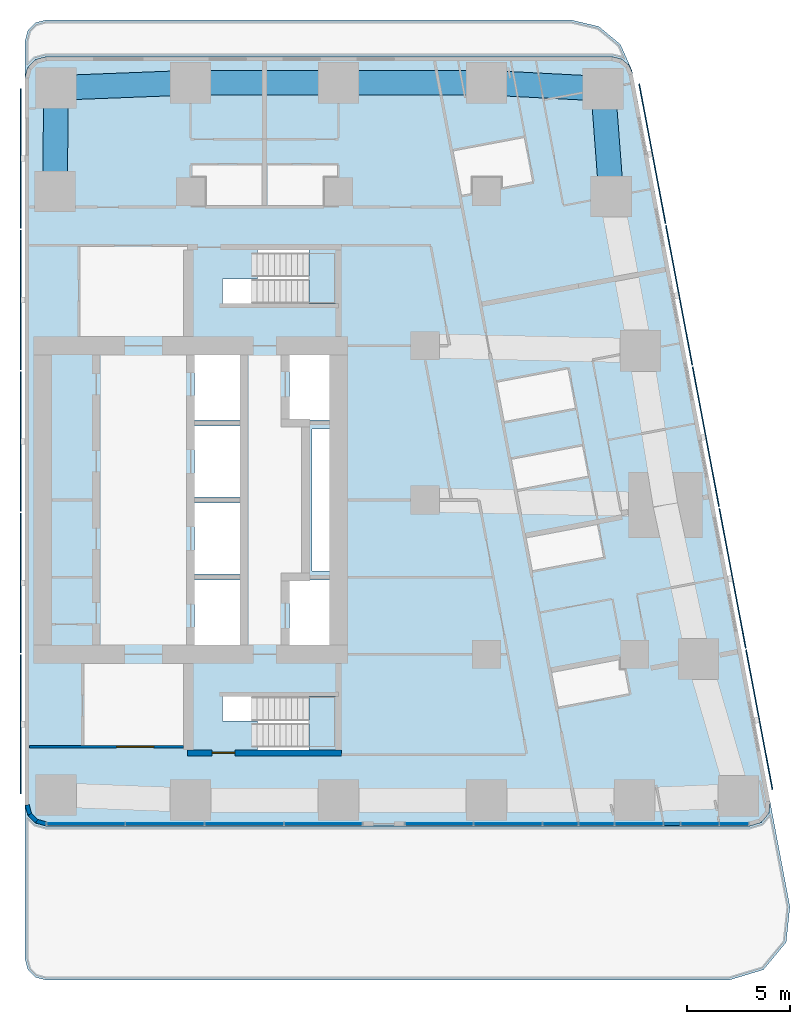
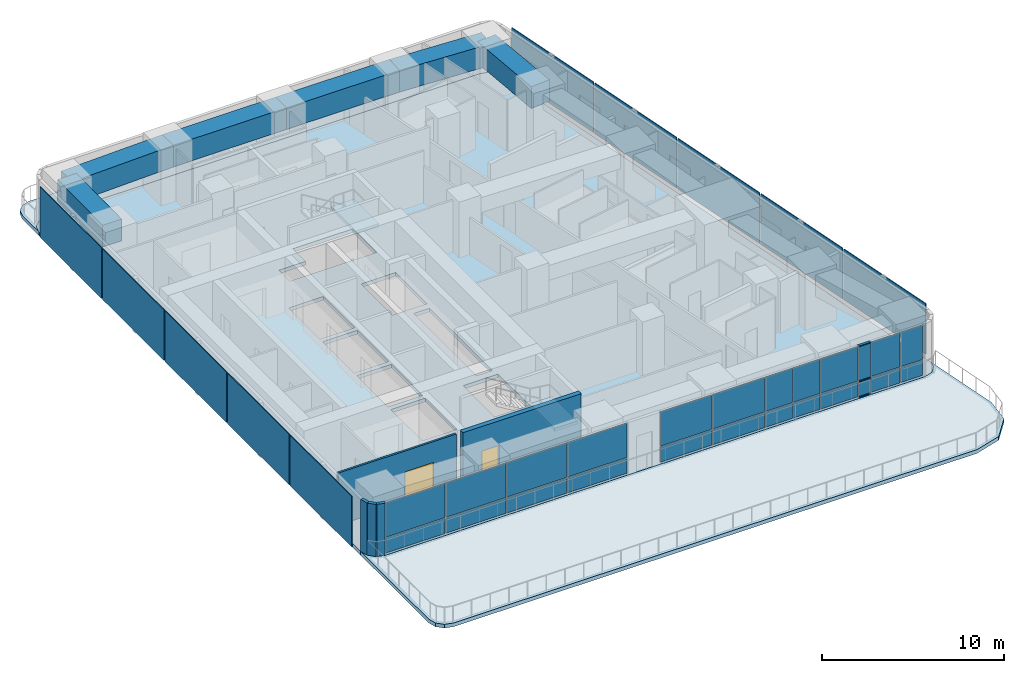
# One storey, part 4 of 12: 34 plates, 6 beams, 5 walls, 4 slabs, 3 members, 2 doors, 2 openings, 4 elements without a shape of their own.
"""IFC4 building model written with IfcOpenShell, lengths in metres."""

from ifc_helpers import new_model, si_unit, direction, frame, frame_2d, origin, origin_2d, place, context, subcontext, project, spatial, polyline, rectangle, outline, extrude, material, layer, layer_set, material_profile, profile_set, type_object, element, fill, aggregate, save


model = new_model("IFC4")

# Units and contexts
model_context = context("Model", 3, precision=1e-05, world=origin(), true_north=direction((0.0, 1.0)))
body_context = subcontext(model_context, "Body", "Model", "MODEL_VIEW")
ifc_project = project(units=[si_unit("LENGTHUNIT", "METRE"), si_unit("AREAUNIT", "SQUARE_METRE"), si_unit("VOLUMEUNIT", "CUBIC_METRE"), si_unit("PLANEANGLEUNIT", "RADIAN"), si_unit("MASSUNIT", "GRAM", prefix="KILO")], contexts=[model_context])

# Site, building, storey
site_placement = place(None, origin())
site = spatial("IfcSite", under=ifc_project, at=site_placement, CompositionType="ELEMENT")
building_placement = place(site_placement, origin())
building = spatial("IfcBuilding", under=site, at=building_placement, Name="Sheger Commons Tower", CompositionType="ELEMENT")
storey_placement = place(building_placement, frame((0.0, 0.0, 251.60009765625)))
storey = spatial("IfcBuildingStorey", under=building, at=storey_placement, Name="L64", CompositionType="ELEMENT", Elevation=251.60009765625)

# Beams
ifc_material_1 = material(Name="Concrete C50/60", Category="concrete")
ifc_material_profile_1 = material_profile(ifc_material_1, rectangle(XDim=1.199951171875, YDim=1.449951171875, at=origin_2d()), Name="RC 1200x1450")
ifc_profile_set_1 = profile_set([ifc_material_profile_1], Name="Concrete C50/60")
beam_type = type_object("IfcBeamType", Name="SPANDREL RC 1200x1450", PredefinedType="SPANDREL", material=ifc_profile_set_1)
beam_1_placement = place(storey_placement, frame((42.06396484375, 37.262939453125, 2.77490234375), z_axis=(-0.075496345854, 0.997146078447, 0.0), x_axis=(-0.997146078447, -0.075496345854, 0.0)))
element("IfcBeam", 1, at=beam_1_placement, inside=storey, type_object=beam_type, Name="Beam E/F-E/G-1.8 under L65", PredefinedType="SPANDREL", context=body_context, shape_type="SweptSolid", body=[
    extrude(rectangle(XDim=1.199951171875, YDim=1.449951171875, at=origin_2d()), origin(), (0.0, 0.0, 1.0), 5.258056640625),
])
beam_2_placement = place(storey_placement, frame((41.6669921875, 42.506103515625, 2.77490234375), z_axis=(-0.998657474351, 0.051800086124, 0.0), x_axis=(-0.051800086124, -0.998657474351, 0.0)))
element("IfcBeam", 2, at=beam_2_placement, inside=storey, type_object=beam_type, Name="Beam E/G-1.8-6/G-1.8 under L65", PredefinedType="SPANDREL", context=body_context, shape_type="SweptSolid", body=[
    extrude(rectangle(XDim=1.199951171875, YDim=1.449951171875, at=origin_2d()), origin(), (0.0, 0.0, 1.0), 5.674560546875),
])
for number, where, z_axis, x_axis, name in (
    (3, (36.0, 42.800048828125, 2.77490234375), (-1.0, 0.0, 0.0), (0.0, -1.0, 0.0), "Beam 6/G-1.8-5/G-1.8 under L65"),
    (4, (28.800048828125, 42.800048828125, 2.77490234375), (-1.0, 0.0, 0.0), (0.0, -1.0, 0.0), "Beam 5/G-1.8-4/G-1.8 under L65"),
):
    element("IfcBeam", number, at=place(storey_placement, frame(where, z_axis=z_axis, x_axis=x_axis)), inside=storey, type_object=beam_type, Name=name, PredefinedType="SPANDREL", context=body_context, shape_type="SweptSolid", body=[
        extrude(rectangle(XDim=1.199951171875, YDim=1.449951171875, at=origin_2d()), origin(), (0.0, 0.0, 1.0), 7.199951171875),
    ])
beam_3_placement = place(storey_placement, frame((21.60009765625, 42.800048828125, 2.77490234375), z_axis=(-0.999247181966, -0.038795223079, 0.0), x_axis=(0.038795223079, -0.999247181966, 0.0)))
element("IfcBeam", 5, at=beam_3_placement, inside=storey, type_object=beam_type, Name="Beam 4/G-1.8-3/G-1.8 under L65", PredefinedType="SPANDREL", context=body_context, shape_type="SweptSolid", body=[
    extrude(rectangle(XDim=1.199951171875, YDim=1.449951171875, at=origin_2d()), origin(), (0.0, 0.0, 1.0), 6.551025390625),
])
beam_4_placement = place(storey_placement, frame((15.053955078125, 42.5458984375, 2.77490234375), z_axis=(-0.010692247282, -0.99994283629, 0.0), x_axis=(0.99994283629, -0.010692247282, 0.0)))
element("IfcBeam", 6, at=beam_4_placement, inside=storey, type_object=beam_type, Name="Beam 3/G-1.8-3/F under L65", PredefinedType="SPANDREL", context=body_context, shape_type="SweptSolid", body=[
    extrude(rectangle(XDim=1.199951171875, YDim=1.449951171875, at=origin_2d()), origin(), (0.0, 0.0, 1.0), 5.046142578125),
])

# Curtain wall, members
ifc_material_2 = material(Name="Black aluminium curtain wall, dark tinted glazing", Category="aluminium")
curtain_wall_type = type_object("IfcCurtainWallType", Name="CURTAIN WALL CW5 SOUTH GALLERY", PredefinedType="USERDEFINED", material=ifc_material_2)
curtain_wall_1_placement = place(storey_placement, origin())
curtain_wall_1 = element("IfcCurtainWall", 7, at=curtain_wall_1_placement, inside=storey, type_object=curtain_wall_type, Name="Curtain Wall Cw5 South Gallery S1 L64", ObjectType="UNITISED CURTAIN WALL", PredefinedType="USERDEFINED")
ifc_material_3 = material(Name="Black anodised aluminium", Category="aluminium")
ifc_material_profile_2 = material_profile(ifc_material_3, rectangle(XDim=0.14990234375, YDim=0.06494140625, at=origin_2d()), Name="AL 65x150")
ifc_profile_set_2 = profile_set([ifc_material_profile_2], Name="Black anodised aluminium")
member_type = type_object("IfcMemberType", Name="TRANSOM AL 65x150", PredefinedType="USERDEFINED", material=ifc_profile_set_2)
member_1_placement = place(storey_placement, frame((44.638427734375, 6.75, 0.032470703125), z_axis=(1.0, 0.0, 0.0), x_axis=(0.0, 1.0, 0.0)))
member_1 = element("IfcMember", 8, at=member_1_placement, type_object=member_type, Name="CW5 transom 6.1", ObjectType="TRANSOM", PredefinedType="USERDEFINED", context=body_context, shape_type="SweptSolid", body=[
    extrude(rectangle(XDim=0.14990234375, YDim=0.06494140625, at=origin_2d()), origin(), (0.0, 0.0, 1.0), 0.759033203125),
])
member_2_placement = place(storey_placement, frame((44.638427734375, 6.75, 1.099853515625), z_axis=(1.0, 0.0, 0.0), x_axis=(0.0, 1.0, 0.0)))
member_2 = element("IfcMember", 9, at=member_2_placement, type_object=member_type, Name="CW5 transom 6.2", ObjectType="TRANSOM", PredefinedType="USERDEFINED", context=body_context, shape_type="SweptSolid", body=[
    extrude(rectangle(XDim=0.14990234375, YDim=0.06494140625, at=origin_2d()), origin(), (0.0, 0.0, 1.0), 0.759033203125),
])
member_3_placement = place(storey_placement, frame((44.638427734375, 6.75, 3.46728515625), z_axis=(1.0, 0.0, 0.0), x_axis=(0.0, 1.0, 0.0)))
member_3 = element("IfcMember", 10, at=member_3_placement, type_object=member_type, Name="CW5 transom 6.3", ObjectType="TRANSOM", PredefinedType="USERDEFINED", context=body_context, shape_type="SweptSolid", body=[
    extrude(rectangle(XDim=0.14990234375, YDim=0.06494140625, at=origin_2d()), origin(), (0.0, 0.0, 1.0), 0.759033203125),
])

# Curtain wall, plates
curtain_wall_2_placement = place(storey_placement, origin())
curtain_wall_2 = element("IfcCurtainWall", 11, at=curtain_wall_2_placement, inside=storey, type_object=curtain_wall_type, Name="Curtain Wall Cw5 South Gallery S1 L64", ObjectType="UNITISED CURTAIN WALL", PredefinedType="USERDEFINED")
ifc_material_4 = material(Name="Dark tinted double glazing", Category="glass")
ifc_layer_1 = layer(ifc_material_4, 0.031982421875)
ifc_layer_set_1 = layer_set([ifc_layer_1], Name="GLAZED PANEL 32")
plate_type_1 = type_object("IfcPlateType", Name="GLAZED PANEL 32", PredefinedType="CURTAIN_PANEL", material=ifc_layer_set_1)
plate_1_placement = place(storey_placement, frame((16.5087890625, 6.75, 0.06494140625), z_axis=(0.0, 0.0, 1.0), x_axis=(1.0, 0.0, 0.0)))
plate_1 = element("IfcPlate", 12, at=plate_1_placement, type_object=plate_type_1, Name="CW5 panel 1.1", PredefinedType="CURTAIN_PANEL", context=body_context, shape_type="SweptSolid", body=[
    extrude(rectangle(XDim=3.76171875, YDim=0.031982421875, at=origin_2d()), origin(), (0.0, 0.0, 1.0), 1.00244140625),
])
plate_2_placement = place(storey_placement, frame((16.5087890625, 6.75, 1.13232421875), z_axis=(0.0, 0.0, 1.0), x_axis=(1.0, 0.0, 0.0)))
plate_2 = element("IfcPlate", 13, at=plate_2_placement, type_object=plate_type_1, Name="CW5 panel 1.2", PredefinedType="CURTAIN_PANEL", context=body_context, shape_type="SweptSolid", body=[
    extrude(rectangle(XDim=3.76171875, YDim=0.031982421875, at=origin_2d()), origin(), (0.0, 0.0, 1.0), 2.302490234375),
])
plate_3_placement = place(storey_placement, frame((20.351806640625, 6.75, 0.06494140625), z_axis=(0.0, 0.0, 1.0), x_axis=(1.0, 0.0, 0.0)))
plate_3 = element("IfcPlate", 14, at=plate_3_placement, type_object=plate_type_1, Name="CW5 panel 2.1", PredefinedType="CURTAIN_PANEL", context=body_context, shape_type="SweptSolid", body=[
    extrude(rectangle(XDim=3.794189453125, YDim=0.031982421875, at=origin_2d()), origin(), (0.0, 0.0, 1.0), 1.00244140625),
])
plate_4_placement = place(storey_placement, frame((20.351806640625, 6.75, 1.13232421875), z_axis=(0.0, 0.0, 1.0), x_axis=(1.0, 0.0, 0.0)))
plate_4 = element("IfcPlate", 15, at=plate_4_placement, type_object=plate_type_1, Name="CW5 panel 2.2", PredefinedType="CURTAIN_PANEL", context=body_context, shape_type="SweptSolid", body=[
    extrude(rectangle(XDim=3.794189453125, YDim=0.031982421875, at=origin_2d()), origin(), (0.0, 0.0, 1.0), 2.302490234375),
])
plate_5_placement = place(storey_placement, frame((24.211181640625, 6.75, 0.06494140625), z_axis=(0.0, 0.0, 1.0), x_axis=(1.0, 0.0, 0.0)))
plate_5 = element("IfcPlate", 16, at=plate_5_placement, type_object=plate_type_1, Name="CW5 panel 3.1", PredefinedType="CURTAIN_PANEL", context=body_context, shape_type="SweptSolid", body=[
    extrude(rectangle(XDim=3.794189453125, YDim=0.031982421875, at=origin_2d()), origin(), (0.0, 0.0, 1.0), 1.00244140625),
])
plate_6_placement = place(storey_placement, frame((24.211181640625, 6.75, 1.13232421875), z_axis=(0.0, 0.0, 1.0), x_axis=(1.0, 0.0, 0.0)))
plate_6 = element("IfcPlate", 17, at=plate_6_placement, type_object=plate_type_1, Name="CW5 panel 3.2", PredefinedType="CURTAIN_PANEL", context=body_context, shape_type="SweptSolid", body=[
    extrude(rectangle(XDim=3.794189453125, YDim=0.031982421875, at=origin_2d()), origin(), (0.0, 0.0, 1.0), 2.302490234375),
])
plate_7_placement = place(storey_placement, frame((28.05419921875, 6.75, 0.06494140625), z_axis=(0.0, 0.0, 1.0), x_axis=(1.0, 0.0, 0.0)))
plate_7 = element("IfcPlate", 18, at=plate_7_placement, type_object=plate_type_1, Name="CW5 panel 4.1", PredefinedType="CURTAIN_PANEL", context=body_context, shape_type="SweptSolid", body=[
    extrude(rectangle(XDim=3.76171875, YDim=0.031982421875, at=origin_2d()), origin(), (0.0, 0.0, 1.0), 1.00244140625),
])
plate_8_placement = place(storey_placement, frame((28.05419921875, 6.75, 1.13232421875), z_axis=(0.0, 0.0, 1.0), x_axis=(1.0, 0.0, 0.0)))
plate_8 = element("IfcPlate", 19, at=plate_8_placement, type_object=plate_type_1, Name="CW5 panel 4.2", PredefinedType="CURTAIN_PANEL", context=body_context, shape_type="SweptSolid", body=[
    extrude(rectangle(XDim=3.76171875, YDim=0.031982421875, at=origin_2d()), origin(), (0.0, 0.0, 1.0), 2.302490234375),
])
aggregate(curtain_wall_2, [plate_1, plate_2, plate_3, plate_4, plate_5, plate_6, plate_7, plate_8])

# Plate
plate_9_placement = place(storey_placement, frame((33.69482421875, 6.75, 0.06494140625), z_axis=(0.0, 0.0, 1.0), x_axis=(1.0, 0.0, 0.0)))
plate_9 = element("IfcPlate", 20, at=plate_9_placement, type_object=plate_type_1, Name="CW5 panel 1.1", PredefinedType="CURTAIN_PANEL", context=body_context, shape_type="SweptSolid", body=[
    extrude(rectangle(XDim=3.259521484375, YDim=0.031982421875, at=origin_2d()), origin(), (0.0, 0.0, 1.0), 1.00244140625),
])

plate_10_placement = place(storey_placement, frame((33.69482421875, 6.75, 1.13232421875), z_axis=(0.0, 0.0, 1.0), x_axis=(1.0, 0.0, 0.0)))
plate_10 = element("IfcPlate", 21, at=plate_10_placement, type_object=plate_type_1, Name="CW5 panel 1.2", PredefinedType="CURTAIN_PANEL", context=body_context, shape_type="SweptSolid", body=[
    extrude(rectangle(XDim=3.259521484375, YDim=0.031982421875, at=origin_2d()), origin(), (0.0, 0.0, 1.0), 2.302490234375),
])

plate_11_placement = place(storey_placement, frame((37.035888671875, 6.75, 0.06494140625), z_axis=(0.0, 0.0, 1.0), x_axis=(1.0, 0.0, 0.0)))
plate_11 = element("IfcPlate", 22, at=plate_11_placement, type_object=plate_type_1, Name="CW5 panel 2.1", PredefinedType="CURTAIN_PANEL", context=body_context, shape_type="SweptSolid", body=[
    extrude(rectangle(XDim=3.29296875, YDim=0.031982421875, at=origin_2d()), origin(), (0.0, 0.0, 1.0), 1.00244140625),
])

plate_12_placement = place(storey_placement, frame((37.035888671875, 6.75, 1.13232421875), z_axis=(0.0, 0.0, 1.0), x_axis=(1.0, 0.0, 0.0)))
plate_12 = element("IfcPlate", 23, at=plate_12_placement, type_object=plate_type_1, Name="CW5 panel 2.2", PredefinedType="CURTAIN_PANEL", context=body_context, shape_type="SweptSolid", body=[
    extrude(rectangle(XDim=3.29296875, YDim=0.031982421875, at=origin_2d()), origin(), (0.0, 0.0, 1.0), 2.302490234375),
])

plate_13_placement = place(storey_placement, frame((39.594482421875, 6.75, 0.06494140625), z_axis=(0.0, 0.0, 1.0), x_axis=(1.0, 0.0, 0.0)))
plate_13 = element("IfcPlate", 24, at=plate_13_placement, type_object=plate_type_1, Name="CW5 panel 3.1", PredefinedType="CURTAIN_PANEL", context=body_context, shape_type="SweptSolid", body=[
    extrude(rectangle(XDim=1.694091796875, YDim=0.031982421875, at=origin_2d()), origin(), (0.0, 0.0, 1.0), 1.00244140625),
])

plate_14_placement = place(storey_placement, frame((39.594482421875, 6.75, 1.13232421875), z_axis=(0.0, 0.0, 1.0), x_axis=(1.0, 0.0, 0.0)))
plate_14 = element("IfcPlate", 25, at=plate_14_placement, type_object=plate_type_1, Name="CW5 panel 3.2", PredefinedType="CURTAIN_PANEL", context=body_context, shape_type="SweptSolid", body=[
    extrude(rectangle(XDim=1.694091796875, YDim=0.031982421875, at=origin_2d()), origin(), (0.0, 0.0, 1.0), 2.302490234375),
])

plate_15_placement = place(storey_placement, frame((41.35107421875, 6.75, 0.06494140625), z_axis=(0.0, 0.0, 1.0), x_axis=(1.0, 0.0, 0.0)))
plate_15 = element("IfcPlate", 26, at=plate_15_placement, type_object=plate_type_1, Name="CW5 panel 4.1", PredefinedType="CURTAIN_PANEL", context=body_context, shape_type="SweptSolid", body=[
    extrude(rectangle(XDim=1.68896484375, YDim=0.031982421875, at=origin_2d()), origin(), (0.0, 0.0, 1.0), 1.00244140625),
])

plate_16_placement = place(storey_placement, frame((41.35107421875, 6.75, 1.13232421875), z_axis=(0.0, 0.0, 1.0), x_axis=(1.0, 0.0, 0.0)))
plate_16 = element("IfcPlate", 27, at=plate_16_placement, type_object=plate_type_1, Name="CW5 panel 4.2", PredefinedType="CURTAIN_PANEL", context=body_context, shape_type="SweptSolid", body=[
    extrude(rectangle(XDim=1.68896484375, YDim=0.031982421875, at=origin_2d()), origin(), (0.0, 0.0, 1.0), 2.302490234375),
])

plate_17_placement = place(storey_placement, frame((43.4169921875, 6.75, 0.06494140625), z_axis=(0.0, 0.0, 1.0), x_axis=(1.0, 0.0, 0.0)))
plate_17 = element("IfcPlate", 28, at=plate_17_placement, type_object=plate_type_1, Name="CW5 panel 5.1", PredefinedType="CURTAIN_PANEL", context=body_context, shape_type="SweptSolid", body=[
    extrude(rectangle(XDim=2.31298828125, YDim=0.031982421875, at=origin_2d()), origin(), (0.0, 0.0, 1.0), 1.00244140625),
])

plate_18_placement = place(storey_placement, frame((43.4169921875, 6.75, 1.13232421875), z_axis=(0.0, 0.0, 1.0), x_axis=(1.0, 0.0, 0.0)))
plate_18 = element("IfcPlate", 29, at=plate_18_placement, type_object=plate_type_1, Name="CW5 panel 5.2", PredefinedType="CURTAIN_PANEL", context=body_context, shape_type="SweptSolid", body=[
    extrude(rectangle(XDim=2.31298828125, YDim=0.031982421875, at=origin_2d()), origin(), (0.0, 0.0, 1.0), 2.302490234375),
])

plate_19_placement = place(storey_placement, frame((45.01806640625, 6.75, 0.06494140625), z_axis=(0.0, 0.0, 1.0), x_axis=(1.0, 0.0, 0.0)))
plate_19 = element("IfcPlate", 30, at=plate_19_placement, type_object=plate_type_1, Name="CW5 panel 6.1", PredefinedType="CURTAIN_PANEL", context=body_context, shape_type="SweptSolid", body=[
    extrude(rectangle(XDim=0.759033203125, YDim=0.031982421875, at=origin_2d()), origin(), (0.0, 0.0, 1.0), 1.00244140625),
])

plate_20_placement = place(storey_placement, frame((45.01806640625, 6.75, 1.13232421875), z_axis=(0.0, 0.0, 1.0), x_axis=(1.0, 0.0, 0.0)))
plate_20 = element("IfcPlate", 31, at=plate_20_placement, type_object=plate_type_1, Name="CW5 panel 6.2", PredefinedType="CURTAIN_PANEL", context=body_context, shape_type="SweptSolid", body=[
    extrude(rectangle(XDim=0.759033203125, YDim=0.031982421875, at=origin_2d()), origin(), (0.0, 0.0, 1.0), 2.302490234375),
])

plate_21_placement = place(storey_placement, frame((46.37451171875, 6.75, 0.06494140625), z_axis=(0.0, 0.0, 1.0), x_axis=(1.0, 0.0, 0.0)))
plate_21 = element("IfcPlate", 32, at=plate_21_placement, type_object=plate_type_1, Name="CW5 panel 7.1", PredefinedType="CURTAIN_PANEL", context=body_context, shape_type="SweptSolid", body=[
    extrude(rectangle(XDim=1.823974609375, YDim=0.031982421875, at=origin_2d()), origin(), (0.0, 0.0, 1.0), 1.00244140625),
])

plate_22_placement = place(storey_placement, frame((46.37451171875, 6.75, 1.13232421875), z_axis=(0.0, 0.0, 1.0), x_axis=(1.0, 0.0, 0.0)))
plate_22 = element("IfcPlate", 33, at=plate_22_placement, type_object=plate_type_1, Name="CW5 panel 7.2", PredefinedType="CURTAIN_PANEL", context=body_context, shape_type="SweptSolid", body=[
    extrude(rectangle(XDim=1.823974609375, YDim=0.031982421875, at=origin_2d()), origin(), (0.0, 0.0, 1.0), 2.302490234375),
])

plate_23_placement = place(storey_placement, frame((48.036865234375, 6.75, 0.06494140625), z_axis=(0.0, 0.0, 1.0), x_axis=(1.0, 0.0, 0.0)))
plate_23 = element("IfcPlate", 34, at=plate_23_placement, type_object=plate_type_1, Name="CW5 panel 8.1", PredefinedType="CURTAIN_PANEL", context=body_context, shape_type="SweptSolid", body=[
    extrude(rectangle(XDim=1.37060546875, YDim=0.031982421875, at=origin_2d()), origin(), (0.0, 0.0, 1.0), 1.00244140625),
])

plate_24_placement = place(storey_placement, frame((48.036865234375, 6.75, 1.13232421875), z_axis=(0.0, 0.0, 1.0), x_axis=(1.0, 0.0, 0.0)))
plate_24 = element("IfcPlate", 35, at=plate_24_placement, type_object=plate_type_1, Name="CW5 panel 8.2", PredefinedType="CURTAIN_PANEL", context=body_context, shape_type="SweptSolid", body=[
    extrude(rectangle(XDim=1.37060546875, YDim=0.031982421875, at=origin_2d()), origin(), (0.0, 0.0, 1.0), 2.302490234375),
])

aggregate(curtain_wall_1, [plate_9, plate_10, plate_11, plate_12, plate_13, plate_14, plate_15, plate_16, plate_17, plate_18, member_1, member_2, member_3, plate_19, plate_20, plate_21, plate_22, plate_23, plate_24])

# Slabs
ifc_material_5 = material(Name="Concrete C35/45", Category="concrete")
ifc_layer_2 = layer(ifc_material_5, 0.25)
ifc_layer_set_2 = layer_set([ifc_layer_2], Name="SLAB FLOOR 250")
slab_type_1 = type_object("IfcSlabType", Name="SLAB FLOOR 250", PredefinedType="FLOOR", material=ifc_layer_set_2)
slab_1_placement = place(storey_placement, frame((0.0, 0.0, -0.25)))
element("IfcSlab", 36, at=slab_1_placement, inside=storey, type_object=slab_type_1, Name="L64 floor slab", PredefinedType="FLOOR", context=body_context, shape_type="SweptSolid", body=[
    extrude(outline(polyline([(13.550048828125, 7.64990234375), (13.68408203125, 7.14990234375), (14.050048828125, 6.783935546875), (14.550048828125, 6.64990234375), (48.802001953125, 6.64990234375), (49.35498046875, 6.81689453125), (49.72412109375, 7.260986328125), (49.784912109375, 7.8359375), (43.097900390625, 43.236083984375), (42.912109375, 43.654052734375), (42.56005859375, 43.945068359375), (42.114990234375, 44.050048828125), (14.550048828125, 44.050048828125), (14.050048828125, 43.916015625), (13.68408203125, 43.550048828125), (13.550048828125, 43.050048828125), (13.550048828125, 7.64990234375)]), holes=[polyline([(24.85009765625, 10.35009765625), (28.64990234375, 10.35009765625), (28.64990234375, 12.949951171875), (23.15087890625, 12.949951171875), (23.15087890625, 11.75), (24.85009765625, 11.75), (24.85009765625, 10.35009765625)]), polyline([(23.15087890625, 32.050048828125), (28.64990234375, 32.050048828125), (28.64990234375, 34.64990234375), (24.85009765625, 34.64990234375), (24.85009765625, 33.25), (23.15087890625, 33.25), (23.15087890625, 32.050048828125)]), polyline([(26.39990234375, 15.14990234375), (28.60009765625, 15.14990234375), (28.60009765625, 18.60009765625), (26.39990234375, 18.60009765625), (26.39990234375, 15.14990234375)]), polyline([(26.39990234375, 26.39990234375), (28.60009765625, 26.39990234375), (28.60009765625, 29.85009765625), (26.39990234375, 29.85009765625), (26.39990234375, 26.39990234375)]), polyline([(21.800048828125, 15.14990234375), (24.0, 15.14990234375), (24.0, 18.60009765625), (21.800048828125, 18.60009765625), (21.800048828125, 15.14990234375)]), polyline([(21.800048828125, 18.89990234375), (24.0, 18.89990234375), (24.0, 22.35009765625), (21.800048828125, 22.35009765625), (21.800048828125, 18.89990234375)]), polyline([(21.800048828125, 22.64990234375), (24.0, 22.64990234375), (24.0, 26.10009765625), (21.800048828125, 26.10009765625), (21.800048828125, 22.64990234375)]), polyline([(21.800048828125, 26.39990234375), (24.0, 26.39990234375), (24.0, 29.85009765625), (21.800048828125, 29.85009765625), (21.800048828125, 26.39990234375)]), polyline([(27.5, 19.050048828125), (28.5, 19.050048828125), (28.5, 25.949951171875), (27.5, 25.949951171875), (27.5, 19.050048828125)])]), origin(), (0.0, 0.0, 1.0), 0.25),
])
ifc_material_6 = material(Name="Concrete C35/45", Category="concrete")
ifc_layer_3 = layer(ifc_material_6, 0.25)
ifc_layer_set_3 = layer_set([ifc_layer_3], Name="SLAB ROOF 250")
slab_type_2 = type_object("IfcSlabType", Name="SLAB ROOF 250", PredefinedType="ROOF", material=ifc_layer_set_3)
slab_2_placement = place(storey_placement, frame((0.0, 0.0, -0.25)))
element("IfcSlab", 37, at=slab_2_placement, inside=storey, type_object=slab_type_2, Name="Roof terrace", PredefinedType="ROOF", context=body_context, shape_type="SweptSolid", body=[
    extrude(outline(polyline([(14.550048828125, -0.85009765625), (47.805908203125, -0.85009765625), (49.465087890625, -0.35009765625), (50.570068359375, 0.98388671875), (50.75390625, 2.70703125), (43.06591796875, 43.406982421875), (42.509033203125, 44.660888671875), (41.452880859375, 45.535888671875), (40.117919921875, 45.85009765625), (14.550048828125, 45.85009765625), (14.050048828125, 45.716064453125), (13.68408203125, 45.35009765625), (13.550048828125, 44.85009765625), (13.550048828125, 43.050048828125), (13.68408203125, 43.550048828125), (14.050048828125, 43.916015625), (14.550048828125, 44.050048828125), (42.114990234375, 44.050048828125), (42.56005859375, 43.945068359375), (42.912109375, 43.654052734375), (43.097900390625, 43.236083984375), (49.784912109375, 7.8359375), (49.72412109375, 7.260986328125), (49.35498046875, 6.81689453125), (48.802001953125, 6.64990234375), (14.550048828125, 6.64990234375), (14.050048828125, 6.783935546875), (13.68408203125, 7.14990234375), (13.550048828125, 7.64990234375), (13.550048828125, 0.14990234375), (13.68408203125, -0.35009765625), (14.050048828125, -0.716064453125), (14.550048828125, -0.85009765625)])), origin(), (0.0, 0.0, 1.0), 0.25),
])

# Plates
ifc_material_7 = material(Name="Perforated black anodised aluminium screen", Category="aluminium")
ifc_layer_4 = layer(ifc_material_7, 0.050048828125)
ifc_layer_set_4 = layer_set([ifc_layer_4], Name="SOLAR SCREEN SCREEN-1")
plate_type_2 = type_object("IfcPlateType", Name="SOLAR SCREEN SCREEN-1", PredefinedType="USERDEFINED", material=ifc_layer_set_4)
for number, where, z_axis, x_axis, name in (
    (38, (49.262939453125, 11.81103515625, 0.050048828125), (0.0, 0.0, 1.0), (-0.185615165645, 0.982622516678, 0.0), "Perforated solar screen panel"),
    (39, (47.962890625, 18.694091796875, 0.050048828125), (0.0, 0.0, 1.0), (-0.185615165645, 0.982622516678, 0.0), "Perforated solar screen panel"),
    (40, (46.6630859375, 25.577880859375, 0.050048828125), (0.0, 0.0, 1.0), (-0.185615165645, 0.982622516678, 0.0), "Perforated solar screen panel"),
    (41, (45.362060546875, 32.4609375, 0.050048828125), (0.0, 0.0, 1.0), (-0.185615165645, 0.982622516678, 0.0), "Perforated solar screen panel"),
    (42, (44.06201171875, 39.344970703125, 0.050048828125), (0.0, 0.0, 1.0), (-0.185615165645, 0.982622516678, 0.0), "Perforated solar screen panel"),
):
    element("IfcPlate", number, at=place(storey_placement, frame(where, z_axis=z_axis, x_axis=x_axis)), inside=storey, type_object=plate_type_2, Name=name, ObjectType="SCREEN", PredefinedType="USERDEFINED", context=body_context, shape_type="SweptSolid", body=[
        extrude(rectangle(XDim=6.905029296875, YDim=0.050048828125, at=origin_2d()), origin(), (0.0, 0.0, 1.0), 3.39990234375),
    ])
for number, where, z_axis, x_axis, name in (
    (43, (13.324951171875, 39.110107421875, 0.050048828125), (0.0, 0.0, 1.0), (0.0, -1.0, 0.0), "Perforated solar screen panel"),
    (44, (13.324951171875, 32.22998046875, 0.050048828125), (0.0, 0.0, 1.0), (0.0, -1.0, 0.0), "Perforated solar screen panel"),
    (45, (13.324951171875, 25.35009765625, 0.050048828125), (0.0, 0.0, 1.0), (0.0, -1.0, 0.0), "Perforated solar screen panel"),
    (46, (13.324951171875, 18.469970703125, 0.050048828125), (0.0, 0.0, 1.0), (0.0, -1.0, 0.0), "Perforated solar screen panel"),
    (47, (13.324951171875, 11.590087890625, 0.050048828125), (0.0, 0.0, 1.0), (0.0, -1.0, 0.0), "Perforated solar screen panel"),
):
    element("IfcPlate", number, at=place(storey_placement, frame(where, z_axis=z_axis, x_axis=x_axis)), inside=storey, type_object=plate_type_2, Name=name, ObjectType="SCREEN", PredefinedType="USERDEFINED", context=body_context, shape_type="SweptSolid", body=[
        extrude(rectangle(XDim=6.780029296875, YDim=0.050048828125, at=origin_2d()), origin(), (0.0, 0.0, 1.0), 3.39990234375),
    ])

# Stair, slab
ifc_material_8 = material(Name="Concrete C35/45", Category="concrete")
stair_type = type_object("IfcStairType", Name="HALF-TURN STAIR 1200 RISE 3750", PredefinedType="HALF_TURN_STAIR", material=ifc_material_8)
stair_1_placement = place(storey_placement, origin())
stair_1 = element("IfcStair", 48, at=stair_1_placement, inside=storey, type_object=stair_type, Name="Stair S1 L64", PredefinedType="HALF_TURN_STAIR")
ifc_material_9 = material(Name="Concrete C35/45", Category="concrete")
ifc_layer_5 = layer(ifc_material_9, 0.199951171875)
ifc_layer_set_5 = layer_set([ifc_layer_5], Name="STAIR LANDING 200")
slab_type_3 = type_object("IfcSlabType", Name="STAIR LANDING 200", PredefinedType="LANDING", material=ifc_layer_set_5)
slab_3_placement = place(storey_placement, frame((0.0, 0.0, 1.6748046875)))
slab_3 = element("IfcSlab", 49, at=slab_3_placement, type_object=slab_type_3, Name="S1 landing 1", PredefinedType="LANDING", context=body_context, shape_type="SweptSolid", body=[
    extrude(outline(polyline([(27.35009765625, 10.199951171875), (28.800048828125, 10.199951171875), (28.800048828125, 12.949951171875), (27.35009765625, 12.949951171875), (27.35009765625, 10.199951171875)])), origin(), (0.0, 0.0, 1.0), 0.2001953125),
])
aggregate(stair_1, [slab_3])

stair_2_placement = place(storey_placement, origin())
stair_2 = element("IfcStair", 50, at=stair_2_placement, inside=storey, type_object=stair_type, Name="Stair S2 L64", PredefinedType="HALF_TURN_STAIR")
slab_4_placement = place(storey_placement, frame((0.0, 0.0, 1.6748046875)))
slab_4 = element("IfcSlab", 51, at=slab_4_placement, type_object=slab_type_3, Name="S2 landing 1", PredefinedType="LANDING", context=body_context, shape_type="SweptSolid", body=[
    extrude(outline(polyline([(27.35009765625, 32.050048828125), (28.800048828125, 32.050048828125), (28.800048828125, 34.800048828125), (27.35009765625, 34.800048828125), (27.35009765625, 32.050048828125)])), origin(), (0.0, 0.0, 1.0), 0.2001953125),
])
aggregate(stair_2, [slab_4])

# Walls
ifc_material_10 = material(Name="Rendered concrete block masonry, dark grey", Category="masonry")
ifc_layer_6 = layer(ifc_material_10, 0.199951171875)
ifc_layer_set_6 = layer_set([ifc_layer_6], Name="FACADE WALL 200")
wall_type_1 = type_object("IfcWallType", Name="FACADE WALL 200", PredefinedType="SOLIDWALL", material=ifc_layer_set_6)
wall_1_placement = place(storey_placement, frame((13.64990234375, 7.6630859375, 0.0), z_axis=(0.0, 0.0, 1.0), x_axis=(0.259698463175, -0.965689757751, 0.0)))
element("IfcWall", 52, at=wall_1_placement, inside=storey, type_object=wall_type_1, Name="Facade wall L64", PredefinedType="SOLIDWALL", context=body_context, shape_type="SweptSolid", body=[
    extrude(rectangle(XDim=0.4775390625, YDim=0.199951171875, at=frame_2d((0.23876953125, 0.0))), origin(), (0.0, 0.0, 1.0), 3.5),
])
wall_2_placement = place(storey_placement, frame((13.77392578125, 7.201904296875, 0.0), z_axis=(0.0, 0.0, 1.0), x_axis=(0.707369890659, -0.706843573776, 0.0)))
element("IfcWall", 53, at=wall_2_placement, inside=storey, type_object=wall_type_1, Name="Facade wall L64", PredefinedType="SOLIDWALL", context=body_context, shape_type="SweptSolid", body=[
    extrude(rectangle(XDim=0.4638671875, YDim=0.199951171875, at=frame_2d((0.23193359375, 0.0))), origin(), (0.0, 0.0, 1.0), 3.5),
])
wall_3_placement = place(storey_placement, frame((14.10205078125, 6.8740234375, 0.0), z_axis=(0.0, 0.0, 1.0), x_axis=(0.965655254015, -0.259826731483, 0.0)))
element("IfcWall", 54, at=wall_3_placement, inside=storey, type_object=wall_type_1, Name="Facade wall L64", PredefinedType="SOLIDWALL", context=body_context, shape_type="SweptSolid", body=[
    extrude(rectangle(XDim=0.477294921875, YDim=0.199951171875, at=frame_2d((0.23876953125, 0.0))), origin(), (0.0, 0.0, 1.0), 3.5),
])

# Wall, opening, door
ifc_material_11 = material(Name="Gypsum board on steel studs, two layers each side, fire rated", Category="steel")
ifc_layer_7 = layer(ifc_material_11, 0.125)
ifc_layer_set_7 = layer_set([ifc_layer_7], Name="SERVICE WALL 125")
wall_type_2 = type_object("IfcWallType", Name="SERVICE WALL 125", PredefinedType="PARTITIONING", material=ifc_layer_set_7)
wall_4_placement = place(storey_placement, frame((13.75, 10.5, 0.0), z_axis=(0.0, 0.0, 1.0), x_axis=(1.0, 0.0, 0.0)))
wall_4 = element("IfcWall", 55, at=wall_4_placement, inside=storey, type_object=wall_type_2, Name="Service room wall L64", PredefinedType="PARTITIONING", context=body_context, shape_type="SweptSolid", body=[
    extrude(rectangle(XDim=7.5, YDim=0.125, at=frame_2d((3.75, 0.0))), origin(), (0.0, 0.0, 1.0), 3.5),
])
opening_1_placement = place(wall_4_placement, frame((4.2451171875, 0.0, 0.0)))
opening_1 = element("IfcOpeningElement", 56, at=opening_1_placement, cuts=wall_4, Name="Opening D6", PredefinedType="OPENING", context=body_context, shape_type="SweptSolid", body=[
    extrude(rectangle(XDim=1.800048828125, YDim=2.10009765625, at=frame_2d((0.89990234375, 1.050048828125))), frame((0.0, 0.072509765625, 0.0), z_axis=(0.0, -1.0, 0.0), x_axis=(1.0, 0.0, 0.0)), (0.0, 0.0, 1.0), 0.14501953125),
])
ifc_material_12 = material(Name="Steel door set, fire rated", Category="steel")
door_type_1 = type_object("IfcDoorType", Name="LOBBY DOUBLE DOOR 1800x2100", OperationType="DOUBLE_DOOR_SINGLE_SWING", PredefinedType="DOOR", material=ifc_material_12)
door_1_placement = place(opening_1_placement, origin())
door_1 = element("IfcDoor", 57, at=door_1_placement, inside=storey, type_object=door_type_1, Name="Lift lobby south door", OperationType="DOUBLE_DOOR_SINGLE_SWING", OverallHeight=2.10009765625, OverallWidth=1.800048828125, PredefinedType="DOOR", context=body_context, shape_type="SweptSolid", body=[
    extrude(rectangle(XDim=1.800048828125, YDim=2.10009765625, at=frame_2d((0.89990234375, 1.050048828125))), frame((0.0, 0.02490234375, 0.0), z_axis=(0.0, -1.0, 0.0), x_axis=(1.0, 0.0, 0.0)), (0.0, 0.0, 1.0), 0.050048828125),
])
fill(opening_1, door_1)

ifc_material_13 = material(Name="Concrete C50/60", Category="concrete")
ifc_layer_8 = layer(ifc_material_13, 0.300048828125)
ifc_layer_set_8 = layer_set([ifc_layer_8], Name="STAIR CORE WALL 300")
wall_type_3 = type_object("IfcWallType", Name="STAIR CORE WALL 300", PredefinedType="SHEAR", material=ifc_layer_set_8)
wall_5_placement = place(storey_placement, frame((21.449951171875, 10.199951171875, 0.0), z_axis=(0.0, 0.0, 1.0), x_axis=(1.0, 0.0, 0.0)))
wall_5 = element("IfcWall", 58, at=wall_5_placement, inside=storey, type_object=wall_type_3, Name="STW-L64-S1S", PredefinedType="SHEAR", context=body_context, shape_type="SweptSolid", body=[
    extrude(rectangle(XDim=7.5, YDim=0.300048828125, at=frame_2d((3.75, 0.0))), origin(), (0.0, 0.0, 1.0), 3.75),
])
opening_2_placement = place(wall_5_placement, frame((1.199951171875, 0.0, 0.0)))
opening_2 = element("IfcOpeningElement", 59, at=opening_2_placement, cuts=wall_5, Name="Opening D5", PredefinedType="OPENING", context=body_context, shape_type="SweptSolid", body=[
    extrude(rectangle(XDim=1.10009765625, YDim=2.10009765625, at=frame_2d((0.550048828125, 1.050048828125))), frame((0.0, 0.159912109375, 0.0), z_axis=(0.0, -1.0, 0.0), x_axis=(1.0, 0.0, 0.0)), (0.0, 0.0, 1.0), 0.320068359375),
])
ifc_material_14 = material(Name="Steel door set, fire rated", Category="steel")
door_type_2 = type_object("IfcDoorType", Name="STAIR DOOR 1100x2100", OperationType="NOTDEFINED", PredefinedType="DOOR", material=ifc_material_14)
door_2_placement = place(opening_2_placement, origin())
door_2 = element("IfcDoor", 60, at=door_2_placement, inside=storey, type_object=door_type_2, Name="Stair S1 door", OperationType="SINGLE_SWING_LEFT", OverallHeight=2.10009765625, OverallWidth=1.10009765625, PredefinedType="DOOR", context=body_context, shape_type="SweptSolid", body=[
    extrude(rectangle(XDim=1.10009765625, YDim=2.10009765625, at=frame_2d((0.550048828125, 1.050048828125))), frame((0.0, 0.02490234375, 0.0), z_axis=(0.0, -1.0, 0.0), x_axis=(1.0, 0.0, 0.0)), (0.0, 0.0, 1.0), 0.050048828125),
])
fill(opening_2, door_2)

save(model, "model.ifc")
